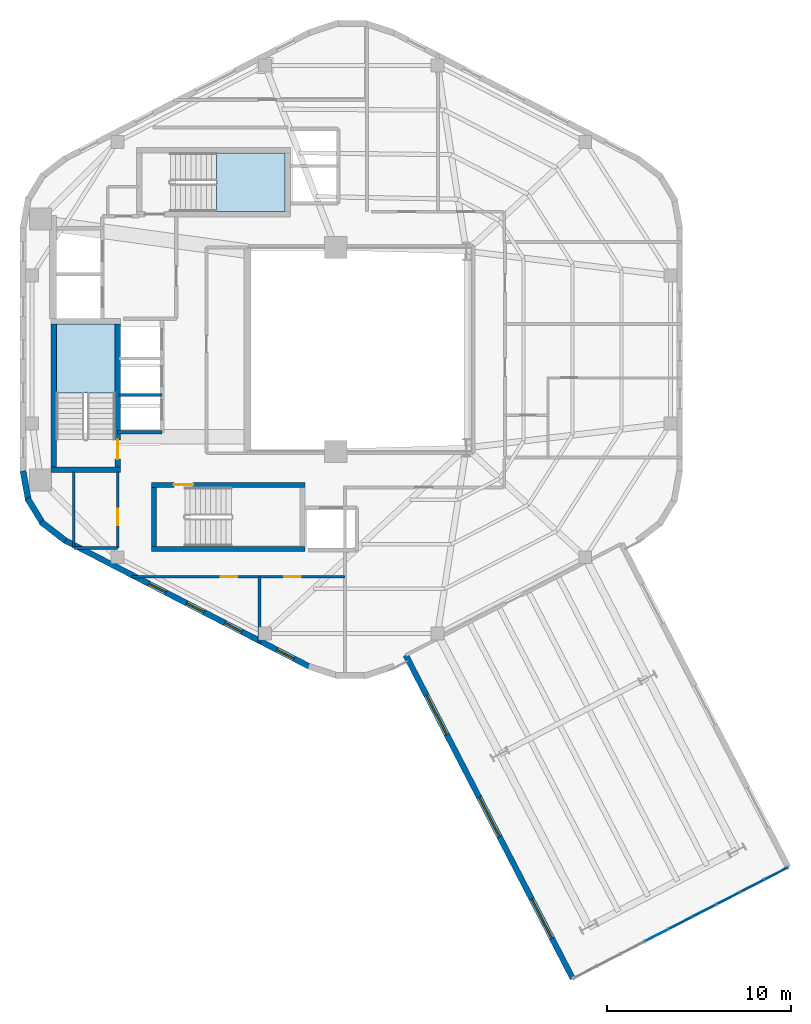
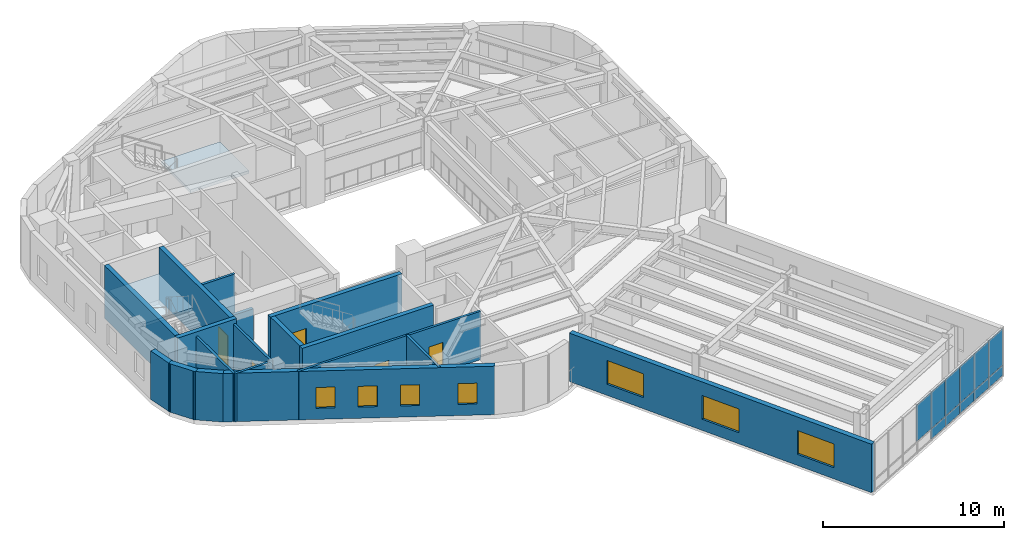
# One storey, part 6 of 10: 18 walls, 11 plates, 7 windows, 5 doors, 2 slabs, 12 openings, 3 elements without a shape of their own.
"""IFC4 building model written with IfcOpenShell, lengths in metres."""

from ifc_helpers import new_model, si_unit, direction, frame, frame_2d, origin, origin_2d, place, context, subcontext, project, spatial, polyline, rectangle, outline, extrude, material, layer, layer_set, type_object, element, fill, aggregate, save


model = new_model("IFC4")

# Units and contexts
model_context = context("Model", 3, precision=1e-05, world=origin(), true_north=direction((0.0, 1.0)))
body_context = subcontext(model_context, "Body", "Model", "MODEL_VIEW")
ifc_project = project(units=[si_unit("LENGTHUNIT", "METRE"), si_unit("AREAUNIT", "SQUARE_METRE"), si_unit("VOLUMEUNIT", "CUBIC_METRE"), si_unit("PLANEANGLEUNIT", "RADIAN"), si_unit("MASSUNIT", "GRAM", prefix="KILO"), si_unit("THERMODYNAMICTEMPERATUREUNIT", "KELVIN"), si_unit("POWERUNIT", "WATT")], contexts=[model_context])

# Site, building, storey
site_placement = place(None, origin())
site = spatial("IfcSite", under=ifc_project, at=site_placement, CompositionType="ELEMENT")
building_placement = place(site_placement, origin())
building = spatial("IfcBuilding", under=site, at=building_placement, Name="Skarre Station Tower", CompositionType="ELEMENT")
storey_placement = place(building_placement, frame((0.0, 0.0, 234.800048828125)))
storey = spatial("IfcBuildingStorey", under=building, at=storey_placement, Name="L64", CompositionType="ELEMENT", Elevation=234.800048828125)

# Curtain wall, plates
ifc_material_1 = material(Name="Thermally Broken Bronze-Anodized Aluminium & Triple Low-E Glass", Category="aluminium")
ifc_layer_1 = layer(ifc_material_1, 0.2099609375, Name="Thermally Broken Bronze-Anodized Aluminium & Triple Low-E Glass")
ifc_layer_set_1 = layer_set([ifc_layer_1], Name="Thermally Broken Bronze-Anodized Aluminium & Triple Low-E Glass")
curtain_wall_type = type_object("IfcCurtainWallType", Name="Sky-Bar Prow Structural Glazed Curtain Wall", PredefinedType="NOTDEFINED", material=ifc_layer_set_1)
curtain_wall_placement = place(storey_placement, origin())
curtain_wall = element("IfcCurtainWall", 1, at=curtain_wall_placement, inside=storey, type_object=curtain_wall_type, Name="L64 SB-5 Lakefront Prow Curtain Wall", PredefinedType="NOTDEFINED")
ifc_material_2 = material(Name="Insulated Bronze Anodized Aluminium Spandrel", Category="aluminium")
ifc_layer_2 = layer(ifc_material_2, 0.052001953125, Name="Insulated Bronze Anodized Aluminium Spandrel")
ifc_layer_set_2 = layer_set([ifc_layer_2], Name="Insulated Bronze Anodized Aluminium Spandrel")
plate_type_1 = type_object("IfcPlateType", Name="Bronze Insulated Spandrel Sheet Panel 52", PredefinedType="SHEET", material=ifc_layer_set_2)
plate_1_placement = place(storey_placement, frame((56.318115234375, -4.4970703125, 0.052001953125), z_axis=(0.0, 0.0, 1.0), x_axis=(-0.888577204547, -0.45872709922, 0.0)))
plate_1 = element("IfcPlate", 2, at=plate_1_placement, type_object=plate_type_1, Name="L64 SB-5 Lakefront Prow Curtain Wall Spandrel Panel 1-1", PredefinedType="SHEET", context=body_context, shape_type="SweptSolid", body=[
    extrude(rectangle(XDim=1.443115234375, YDim=0.052001953125, at=origin_2d()), origin(), (0.0, 0.0, 1.0), 0.68603515625),
])
plate_2_placement = place(storey_placement, frame((55.014892578125, -5.169921875, 0.052001953125), z_axis=(0.0, 0.0, 1.0), x_axis=(-0.888577204547, -0.45872709922, 0.0)))
plate_2 = element("IfcPlate", 3, at=plate_2_placement, type_object=plate_type_1, Name="L64 SB-5 Lakefront Prow Curtain Wall Spandrel Panel 2-1", PredefinedType="SHEET", context=body_context, shape_type="SweptSolid", body=[
    extrude(rectangle(XDim=1.443115234375, YDim=0.052001953125, at=origin_2d()), origin(), (0.0, 0.0, 1.0), 0.68603515625),
])
plate_3_placement = place(storey_placement, frame((53.7119140625, -5.843017578125, 0.052001953125), z_axis=(0.0, 0.0, 1.0), x_axis=(-0.888577204547, -0.45872709922, 0.0)))
plate_3 = element("IfcPlate", 4, at=plate_3_placement, type_object=plate_type_1, Name="L64 SB-5 Lakefront Prow Curtain Wall Spandrel Panel 3-1", PredefinedType="SHEET", context=body_context, shape_type="SweptSolid", body=[
    extrude(rectangle(XDim=1.443115234375, YDim=0.052001953125, at=origin_2d()), origin(), (0.0, 0.0, 1.0), 0.68603515625),
])
plate_4_placement = place(storey_placement, frame((52.408935546875, -6.51611328125, 0.052001953125), z_axis=(0.0, 0.0, 1.0), x_axis=(-0.888577204547, -0.45872709922, 0.0)))
plate_4 = element("IfcPlate", 5, at=plate_4_placement, type_object=plate_type_1, Name="L64 SB-5 Lakefront Prow Curtain Wall Spandrel Panel 4-1", PredefinedType="SHEET", context=body_context, shape_type="SweptSolid", body=[
    extrude(rectangle(XDim=1.443115234375, YDim=0.052001953125, at=origin_2d()), origin(), (0.0, 0.0, 1.0), 0.68603515625),
])
plate_5_placement = place(storey_placement, frame((51.10498046875, -7.18798828125, 0.052001953125), z_axis=(0.0, 0.0, 1.0), x_axis=(-0.888577204547, -0.45872709922, 0.0)))
plate_5 = element("IfcPlate", 6, at=plate_5_placement, type_object=plate_type_1, Name="L64 SB-5 Lakefront Prow Curtain Wall Spandrel Panel 5-1", PredefinedType="SHEET", context=body_context, shape_type="SweptSolid", body=[
    extrude(rectangle(XDim=1.443115234375, YDim=0.052001953125, at=origin_2d()), origin(), (0.0, 0.0, 1.0), 0.68603515625),
])

# Stair, slab
ifc_material_3 = material(Name="Concrete C40/50", Category="concrete")
stair_type_1 = type_object("IfcStairType", Name="Reinforced Concrete Exit Stair ST-1", PredefinedType="HALF_TURN_STAIR", material=ifc_material_3)
stair_1_placement = place(storey_placement, origin())
stair_1 = element("IfcStair", 7, at=stair_1_placement, inside=storey, type_object=stair_type_1, Name="L64 Core Exit Stair ST-1", PredefinedType="HALF_TURN_STAIR")
ifc_layer_3 = layer(ifc_material_3, 0.219970703125, Name="Concrete C40/50")
ifc_layer_set_3 = layer_set([ifc_layer_3], Name="Concrete C40/50")
slab_type = type_object("IfcSlabType", Name="Reinforced Concrete Stair & Ramp Landing 220", PredefinedType="LANDING", material=ifc_layer_set_3)
slab_1_placement = place(storey_placement, frame((0.0, 0.0, 1.574951171875)))
slab_1 = element("IfcSlab", 8, at=slab_1_placement, type_object=slab_type, Name="ST-1 landing 1", PredefinedType="LANDING", context=body_context, shape_type="SweptSolid", body=[
    extrude(outline(polyline([(20.35009765625, 21.639892578125), (20.35009765625, 25.39990234375), (17.14990234375, 25.39990234375), (17.14990234375, 21.639892578125), (20.35009765625, 21.639892578125)])), origin(), (0.0, 0.0, 1.0), 0.199951171875),
])
aggregate(stair_1, [slab_1])

stair_type_2 = type_object("IfcStairType", Name="Reinforced Concrete Exit Stair ST-3", PredefinedType="HALF_TURN_STAIR", material=ifc_material_3)
stair_2_placement = place(storey_placement, origin())
stair_2 = element("IfcStair", 9, at=stair_2_placement, inside=storey, type_object=stair_type_2, Name="L64 Core Exit Stair ST-3", PredefinedType="HALF_TURN_STAIR")
slab_2_placement = place(storey_placement, frame((0.0, 0.0, 1.574951171875)))
slab_2 = element("IfcSlab", 10, at=slab_2_placement, type_object=slab_type, Name="ST-3 landing 1", PredefinedType="LANDING", context=body_context, shape_type="SweptSolid", body=[
    extrude(outline(polyline([(25.8701171875, 31.5), (29.60009765625, 31.5), (29.60009765625, 34.699951171875), (25.8701171875, 34.699951171875), (25.8701171875, 31.5)])), origin(), (0.0, 0.0, 1.0), 0.199951171875),
])
aggregate(stair_2, [slab_2])

# Plate
ifc_material_4 = material(Name="Low-Iron Triple Insulating Glass Unit", Category="glass")
ifc_layer_4 = layer(ifc_material_4, 0.0439453125, Name="Low-Iron Triple Insulating Glass Unit")
ifc_layer_set_4 = layer_set([ifc_layer_4], Name="Low-Iron Triple Insulating Glass Unit")
plate_type_2 = type_object("IfcPlateType", Name="Triple-Glazed Vision Curtain Panel 44", PredefinedType="CURTAIN_PANEL", material=ifc_layer_set_4)
plate_6_placement = place(storey_placement, frame((56.318115234375, -4.4970703125, 0.76171875), z_axis=(0.0, 0.0, 1.0), x_axis=(-0.888577204547, -0.45872709922, 0.0)))
plate_6 = element("IfcPlate", 11, at=plate_6_placement, type_object=plate_type_2, Name="L64 SB-5 Lakefront Prow Curtain Wall Vision Panel 1-2", PredefinedType="CURTAIN_PANEL", context=body_context, shape_type="SweptSolid", body=[
    extrude(rectangle(XDim=1.443115234375, YDim=0.0439453125, at=origin_2d()), origin(), (0.0, 0.0, 1.0), 2.446044921875),
])

plate_7_placement = place(storey_placement, frame((55.014892578125, -5.169921875, 0.76171875), z_axis=(0.0, 0.0, 1.0), x_axis=(-0.888577204547, -0.45872709922, 0.0)))
plate_7 = element("IfcPlate", 12, at=plate_7_placement, type_object=plate_type_2, Name="L64 SB-5 Lakefront Prow Curtain Wall Vision Panel 2-2", PredefinedType="CURTAIN_PANEL", context=body_context, shape_type="SweptSolid", body=[
    extrude(rectangle(XDim=1.443115234375, YDim=0.0439453125, at=origin_2d()), origin(), (0.0, 0.0, 1.0), 2.446044921875),
])

plate_8_placement = place(storey_placement, frame((53.7119140625, -5.843017578125, 0.76171875), z_axis=(0.0, 0.0, 1.0), x_axis=(-0.888577204547, -0.45872709922, 0.0)))
plate_8 = element("IfcPlate", 13, at=plate_8_placement, type_object=plate_type_2, Name="L64 SB-5 Lakefront Prow Curtain Wall Vision Panel 3-2", PredefinedType="CURTAIN_PANEL", context=body_context, shape_type="SweptSolid", body=[
    extrude(rectangle(XDim=1.443115234375, YDim=0.0439453125, at=origin_2d()), origin(), (0.0, 0.0, 1.0), 2.446044921875),
])

plate_9_placement = place(storey_placement, frame((52.408935546875, -6.51611328125, 0.76171875), z_axis=(0.0, 0.0, 1.0), x_axis=(-0.888577204547, -0.45872709922, 0.0)))
plate_9 = element("IfcPlate", 14, at=plate_9_placement, type_object=plate_type_2, Name="L64 SB-5 Lakefront Prow Curtain Wall Vision Panel 4-2", PredefinedType="CURTAIN_PANEL", context=body_context, shape_type="SweptSolid", body=[
    extrude(rectangle(XDim=1.443115234375, YDim=0.0439453125, at=origin_2d()), origin(), (0.0, 0.0, 1.0), 2.446044921875),
])

plate_10_placement = place(storey_placement, frame((51.10498046875, -7.18798828125, 0.76171875), z_axis=(0.0, 0.0, 1.0), x_axis=(-0.888577204547, -0.45872709922, 0.0)))
plate_10 = element("IfcPlate", 15, at=plate_10_placement, type_object=plate_type_2, Name="L64 SB-5 Lakefront Prow Curtain Wall Vision Panel 5-2", PredefinedType="CURTAIN_PANEL", context=body_context, shape_type="SweptSolid", body=[
    extrude(rectangle(XDim=1.443115234375, YDim=0.0439453125, at=origin_2d()), origin(), (0.0, 0.0, 1.0), 2.446044921875),
])

plate_11_placement = place(storey_placement, frame((49.802001953125, -7.861083984375, 0.76171875), z_axis=(0.0, 0.0, 1.0), x_axis=(-0.888577204547, -0.45872709922, 0.0)))
plate_11 = element("IfcPlate", 16, at=plate_11_placement, type_object=plate_type_2, Name="L64 SB-5 Lakefront Prow Curtain Wall Vision Panel 6-2", PredefinedType="CURTAIN_PANEL", context=body_context, shape_type="SweptSolid", body=[
    extrude(rectangle(XDim=1.443115234375, YDim=0.0439453125, at=origin_2d()), origin(), (0.0, 0.0, 1.0), 2.446044921875),
])

aggregate(curtain_wall, [plate_1, plate_6, plate_2, plate_7, plate_3, plate_8, plate_4, plate_9, plate_5, plate_10, plate_11])

# Walls
ifc_material_5 = material(Name="Acoustic Steel-Stud Gypsum Partition", Category="steel")
ifc_layer_5 = layer(ifc_material_5, 0.14990234375, Name="Acoustic Steel-Stud Gypsum Partition")
ifc_layer_set_5 = layer_set([ifc_layer_5], Name="Acoustic Steel-Stud Gypsum Partition")
wall_type_1 = type_object("IfcWallType", Name="Fire-Rated Corridor Acoustic Partition 150", PredefinedType="PARTITIONING", material=ifc_layer_set_5)
wall_1_placement = place(storey_placement, frame((18.10009765625, 17.340087890625, 0.0), z_axis=(0.0, 0.0, 1.0), x_axis=(0.0, -1.0, 0.0)))
element("IfcWall", 17, at=wall_1_placement, inside=storey, type_object=wall_type_1, Name="L64 Interior Partition WL-PT-L64-CSVC-W", PredefinedType="PARTITIONING", context=body_context, shape_type="SweptSolid", body=[
    extrude(rectangle(XDim=4.133056640625, YDim=0.14990234375, at=frame_2d((2.06640625, 0.0))), origin(), (0.0, 0.0, 1.0), 3.260009765625),
])
wall_2_placement = place(storey_placement, frame((18.113037109375, 13.199951171875, 0.0), z_axis=(0.0, 0.0, 1.0), x_axis=(1.0, 0.0, 0.0)))
element("IfcWall", 18, at=wall_2_placement, inside=storey, type_object=wall_type_1, Name="L64 Interior Partition WL-PT-L64-CSVC-S", PredefinedType="PARTITIONING", context=body_context, shape_type="SweptSolid", body=[
    extrude(rectangle(XDim=2.376953125, YDim=0.14990234375, at=frame_2d((1.1884765625, 0.0))), origin(), (0.0, 0.0, 1.0), 3.260009765625),
])

# Wall, opening, door
wall_3_placement = place(storey_placement, frame((20.489990234375, 13.199951171875, 0.0), z_axis=(0.0, 0.0, 1.0), x_axis=(0.0, 1.0, 0.0)))
wall_3 = element("IfcWall", 19, at=wall_3_placement, inside=storey, type_object=wall_type_1, Name="L64 Interior Partition WL-PT-L64-CSVC-E", PredefinedType="PARTITIONING", context=body_context, shape_type="SweptSolid", body=[
    extrude(rectangle(XDim=4.14013671875, YDim=0.14990234375, at=frame_2d((2.070068359375, 0.0))), origin(), (0.0, 0.0, 1.0), 3.260009765625),
])
opening_1_placement = place(wall_3_placement, frame((1.25, 0.0, 0.0)))
opening_1 = element("IfcOpeningElement", 20, at=opening_1_placement, cuts=wall_3, Name="Opening DR-SVC90", PredefinedType="OPENING", context=body_context, shape_type="SweptSolid", body=[
    extrude(rectangle(XDim=0.89990234375, YDim=2.0, at=frame_2d((0.449951171875, 1.0))), frame((0.0, 0.0849609375, 0.0), z_axis=(0.0, -1.0, 0.0), x_axis=(1.0, 0.0, 0.0)), (0.0, 0.0, 1.0), 0.169921875),
])
ifc_material_6 = material(Name="Powder-Coated Hollow-Metal Acoustic Fire Leaf", Category="steel")
door_type_1 = type_object("IfcDoorType", Name="Service & Riser Fire Door FD60 900x2100", OperationType="SINGLE_SWING_LEFT", PredefinedType="DOOR", material=ifc_material_6)
door_1_placement = place(opening_1_placement, origin())
door_1 = element("IfcDoor", 21, at=door_1_placement, inside=storey, type_object=door_type_1, Name="L64 Core Pantry Door", OperationType="SINGLE_SWING_LEFT", OverallHeight=2.0, OverallWidth=0.89990234375, PredefinedType="DOOR", context=body_context, shape_type="SweptSolid", body=[
    extrude(rectangle(XDim=0.89990234375, YDim=2.0, at=frame_2d((0.449951171875, 1.0))), frame((0.0, 0.02490234375, 0.0), z_axis=(0.0, -1.0, 0.0), x_axis=(1.0, 0.0, 0.0)), (0.0, 0.0, 1.0), 0.050048828125),
])
fill(opening_1, door_1)

# Wall
wall_4_placement = place(storey_placement, frame((28.199951171875, 8.049072265625, 0.0), z_axis=(0.0, 0.0, 1.0), x_axis=(0.0, 1.0, 0.0)))
element("IfcWall", 22, at=wall_4_placement, inside=storey, type_object=wall_type_1, Name="L64 Interior Partition WL-PT-L64-SWP-M", PredefinedType="PARTITIONING", context=body_context, shape_type="SweptSolid", body=[
    extrude(rectangle(XDim=3.5908203125, YDim=0.14990234375, at=frame_2d((1.79541015625, 0.0))), origin(), (0.0, 0.0, 1.0), 3.260009765625),
])

# Wall, openings, doors
wall_5_placement = place(storey_placement, frame((21.243896484375, 11.639892578125, 0.0), z_axis=(0.0, 0.0, 1.0), x_axis=(1.0, 0.0, 0.0)))
wall_5 = element("IfcWall", 23, at=wall_5_placement, inside=storey, type_object=wall_type_1, Name="L64 Interior Partition WL-PT-L64-SWP-N", PredefinedType="PARTITIONING", context=body_context, shape_type="SweptSolid", body=[
    extrude(rectangle(XDim=11.606201171875, YDim=0.14990234375, at=frame_2d((5.80322265625, 0.0))), origin(), (0.0, 0.0, 1.0), 3.260009765625),
])
opening_2_placement = place(wall_5_placement, frame((4.85595703125, 0.0, 0.0)))
opening_2 = element("IfcOpeningElement", 24, at=opening_2_placement, cuts=wall_5, Name="Opening DR-SVC90", PredefinedType="OPENING", context=body_context, shape_type="SweptSolid", body=[
    extrude(rectangle(XDim=0.89990234375, YDim=2.0, at=frame_2d((0.449951171875, 1.0))), frame((0.0, 0.0849609375, 0.0), z_axis=(0.0, -1.0, 0.0), x_axis=(1.0, 0.0, 0.0)), (0.0, 0.0, 1.0), 0.169921875),
])
opening_3_placement = place(wall_5_placement, frame((8.305908203125, 0.0, 0.0)))
opening_3 = element("IfcOpeningElement", 25, at=opening_3_placement, cuts=wall_5, Name="Opening DR-SVC90", PredefinedType="OPENING", context=body_context, shape_type="SweptSolid", body=[
    extrude(rectangle(XDim=0.89990234375, YDim=2.0, at=frame_2d((0.449951171875, 1.0))), frame((0.0, 0.0849609375, 0.0), z_axis=(0.0, -1.0, 0.0), x_axis=(1.0, 0.0, 0.0)), (0.0, 0.0, 1.0), 0.169921875),
])
door_2_placement = place(opening_2_placement, origin())
door_2 = element("IfcDoor", 26, at=door_2_placement, inside=storey, type_object=door_type_1, Name="L64 Floor Public Toilets Door", OperationType="SINGLE_SWING_LEFT", OverallHeight=2.0, OverallWidth=0.89990234375, PredefinedType="DOOR", context=body_context, shape_type="SweptSolid", body=[
    extrude(rectangle(XDim=0.89990234375, YDim=2.0, at=frame_2d((0.449951171875, 1.0))), frame((0.0, 0.02490234375, 0.0), z_axis=(0.0, -1.0, 0.0), x_axis=(1.0, 0.0, 0.0)), (0.0, 0.0, 1.0), 0.050048828125),
])
fill(opening_2, door_2)
door_3_placement = place(opening_3_placement, origin())
door_3 = element("IfcDoor", 27, at=door_3_placement, inside=storey, type_object=door_type_1, Name="L64 South-West Study Door", OperationType="SINGLE_SWING_LEFT", OverallHeight=2.0, OverallWidth=0.89990234375, PredefinedType="DOOR", context=body_context, shape_type="SweptSolid", body=[
    extrude(rectangle(XDim=0.89990234375, YDim=2.0, at=frame_2d((0.449951171875, 1.0))), frame((0.0, 0.02490234375, 0.0), z_axis=(0.0, -1.0, 0.0), x_axis=(1.0, 0.0, 0.0)), (0.0, 0.0, 1.0), 0.050048828125),
])
fill(opening_3, door_3)

# Walls
ifc_material_7 = material(Name="Precast concrete C45/55", Category="concrete")
ifc_layer_6 = layer(ifc_material_7, 0.330078125, Name="Precast concrete C45/55")
ifc_layer_set_6 = layer_set([ifc_layer_6], Name="Precast concrete C45/55")
wall_type_2 = type_object("IfcWallType", Name="Nordic Rounded Corner Precast Wall 330", PredefinedType="STANDARD", material=ifc_layer_set_6)
wall_6_placement = place(storey_placement, frame((17.64697265625, 13.59912109375, 0.0), z_axis=(0.0, 0.0, 1.0), x_axis=(-0.790691856293, 0.61221433207, 0.0)))
element("IfcWall", 28, at=wall_6_placement, inside=storey, type_object=wall_type_2, Name="L64 Rounded Corner Precast Wall F3-1", PredefinedType="STANDARD", context=body_context, shape_type="SweptSolid", body=[
    extrude(rectangle(XDim=1.67578125, YDim=0.330078125, at=frame_2d((0.837890625, 0.0))), origin(), (0.0, 0.0, 1.0), 3.260009765625),
])
wall_7_placement = place(storey_placement, frame((16.447021484375, 14.485107421875, 0.0), z_axis=(0.0, 0.0, 1.0), x_axis=(-0.520325409202, 0.853968072318, 0.0)))
element("IfcWall", 29, at=wall_7_placement, inside=storey, type_object=wall_type_2, Name="L64 Rounded Corner Precast Wall F3-2", PredefinedType="STANDARD", context=body_context, shape_type="SweptSolid", body=[
    extrude(rectangle(XDim=1.677978515625, YDim=0.330078125, at=frame_2d((0.8388671875, 0.0))), origin(), (0.0, 0.0, 1.0), 3.260009765625),
])
wall_8_placement = place(storey_placement, frame((15.64111328125, 15.742919921875, 0.0), z_axis=(0.0, 0.0, 1.0), x_axis=(-0.180832605401, 0.983513888475, 0.0)))
element("IfcWall", 30, at=wall_8_placement, inside=storey, type_object=wall_type_2, Name="L64 Rounded Corner Precast Wall F3-3", PredefinedType="STANDARD", context=body_context, shape_type="SweptSolid", body=[
    extrude(rectangle(XDim=1.6767578125, YDim=0.330078125, at=frame_2d((0.83837890625, 0.0))), origin(), (0.0, 0.0, 1.0), 3.260009765625),
])

# Wall, openings, windows
ifc_layer_7 = layer(ifc_material_7, 0.31005859375, Name="Precast concrete C45/55")
ifc_layer_set_7 = layer_set([ifc_layer_7], Name="Precast concrete C45/55")
wall_type_3 = type_object("IfcWallType", Name="Nordic Upper-Zone Precast Facet Wall 310", PredefinedType="STANDARD", material=ifc_layer_set_7)
wall_9_placement = place(storey_placement, frame((30.962890625, 6.72998046875, 0.0), z_axis=(0.0, 0.0, 1.0), x_axis=(-0.888581481622, 0.458718814218, 0.0)))
wall_9 = element("IfcWall", 31, at=wall_9_placement, inside=storey, type_object=wall_type_3, Name="L64 Facet 3 Nordic Precast Masonry Wall", PredefinedType="STANDARD", context=body_context, shape_type="SweptSolid", body=[
    extrude(rectangle(XDim=15.076904296875, YDim=0.31005859375, at=frame_2d((7.53857421875, 0.0))), origin(), (0.0, 0.0, 1.0), 3.260009765625),
])
opening_4_placement = place(wall_9_placement, frame((0.998046875, 0.0, 0.75)))
opening_4 = element("IfcOpeningElement", 32, at=opening_4_placement, cuts=wall_9, Name="Opening WN-SLT", PredefinedType="OPENING", context=body_context, shape_type="SweptSolid", body=[
    extrude(rectangle(XDim=1.050048828125, YDim=1.39990234375, at=frame_2d((0.52490234375, 0.699951171875))), frame((0.0, 0.1650390625, 0.0), z_axis=(0.0, -1.0, 0.0), x_axis=(1.0, 0.0, 0.0)), (0.0, 0.0, 1.0), 0.330078125),
])
opening_5_placement = place(wall_9_placement, frame((4.176025390625, 0.0, 0.75)))
opening_5 = element("IfcOpeningElement", 33, at=opening_5_placement, cuts=wall_9, Name="Opening WN-SLT", PredefinedType="OPENING", context=body_context, shape_type="SweptSolid", body=[
    extrude(rectangle(XDim=1.050048828125, YDim=1.39990234375, at=frame_2d((0.52490234375, 0.699951171875))), frame((0.0, 0.1650390625, 0.0), z_axis=(0.0, -1.0, 0.0), x_axis=(1.0, 0.0, 0.0)), (0.0, 0.0, 1.0), 0.330078125),
])
opening_6_placement = place(wall_9_placement, frame((6.509033203125, 0.0, 0.75)))
opening_6 = element("IfcOpeningElement", 34, at=opening_6_placement, cuts=wall_9, Name="Opening WN-SLT", PredefinedType="OPENING", context=body_context, shape_type="SweptSolid", body=[
    extrude(rectangle(XDim=1.050048828125, YDim=1.39990234375, at=frame_2d((0.52490234375, 0.699951171875))), frame((0.0, 0.1650390625, 0.0), z_axis=(0.0, -1.0, 0.0), x_axis=(1.0, 0.0, 0.0)), (0.0, 0.0, 1.0), 0.330078125),
])
opening_7_placement = place(wall_9_placement, frame((8.842041015625, 0.0, 0.75)))
opening_7 = element("IfcOpeningElement", 35, at=opening_7_placement, cuts=wall_9, Name="Opening WN-SLT", PredefinedType="OPENING", context=body_context, shape_type="SweptSolid", body=[
    extrude(rectangle(XDim=1.050048828125, YDim=1.39990234375, at=frame_2d((0.52490234375, 0.699951171875))), frame((0.0, 0.1650390625, 0.0), z_axis=(0.0, -1.0, 0.0), x_axis=(1.0, 0.0, 0.0)), (0.0, 0.0, 1.0), 0.330078125),
])
ifc_material_8 = material(Name="Low-Iron Triple Glazing with Bronze Anodized Frame", Category="glass")
window_type_1 = type_object("IfcWindowType", Name="Nordic Corner Slot Window 1050x1400", PartitioningType="SINGLE_PANEL", PredefinedType="WINDOW", material=ifc_material_8)
window_1_placement = place(opening_4_placement, origin())
window_1 = element("IfcWindow", 36, at=window_1_placement, inside=storey, type_object=window_type_1, Name="L64 Facade Window WL-FAC-L64-F3-1", OverallHeight=1.39990234375, OverallWidth=1.050048828125, PartitioningType="SINGLE_PANEL", PredefinedType="WINDOW", context=body_context, shape_type="SweptSolid", body=[
    extrude(rectangle(XDim=1.050048828125, YDim=1.39990234375, at=frame_2d((0.52490234375, 0.699951171875))), frame((0.0, 0.030029296875, 0.0), z_axis=(0.0, -1.0, 0.0), x_axis=(1.0, 0.0, 0.0)), (0.0, 0.0, 1.0), 0.06005859375),
])
fill(opening_4, window_1)
window_2_placement = place(opening_5_placement, origin())
window_2 = element("IfcWindow", 37, at=window_2_placement, inside=storey, type_object=window_type_1, Name="L64 Facade Window WL-FAC-L64-F3-2", OverallHeight=1.39990234375, OverallWidth=1.050048828125, PartitioningType="SINGLE_PANEL", PredefinedType="WINDOW", context=body_context, shape_type="SweptSolid", body=[
    extrude(rectangle(XDim=1.050048828125, YDim=1.39990234375, at=frame_2d((0.52490234375, 0.699951171875))), frame((0.0, 0.030029296875, 0.0), z_axis=(0.0, -1.0, 0.0), x_axis=(1.0, 0.0, 0.0)), (0.0, 0.0, 1.0), 0.06005859375),
])
fill(opening_5, window_2)
window_3_placement = place(opening_6_placement, origin())
window_3 = element("IfcWindow", 38, at=window_3_placement, inside=storey, type_object=window_type_1, Name="L64 Facade Window WL-FAC-L64-F3-3", OverallHeight=1.39990234375, OverallWidth=1.050048828125, PartitioningType="SINGLE_PANEL", PredefinedType="WINDOW", context=body_context, shape_type="SweptSolid", body=[
    extrude(rectangle(XDim=1.050048828125, YDim=1.39990234375, at=frame_2d((0.52490234375, 0.699951171875))), frame((0.0, 0.030029296875, 0.0), z_axis=(0.0, -1.0, 0.0), x_axis=(1.0, 0.0, 0.0)), (0.0, 0.0, 1.0), 0.06005859375),
])
fill(opening_6, window_3)
window_4_placement = place(opening_7_placement, origin())
window_4 = element("IfcWindow", 39, at=window_4_placement, inside=storey, type_object=window_type_1, Name="L64 Facade Window WL-FAC-L64-F3-4", OverallHeight=1.39990234375, OverallWidth=1.050048828125, PartitioningType="SINGLE_PANEL", PredefinedType="WINDOW", context=body_context, shape_type="SweptSolid", body=[
    extrude(rectangle(XDim=1.050048828125, YDim=1.39990234375, at=frame_2d((0.52490234375, 0.699951171875))), frame((0.0, 0.030029296875, 0.0), z_axis=(0.0, -1.0, 0.0), x_axis=(1.0, 0.0, 0.0)), (0.0, 0.0, 1.0), 0.06005859375),
])
fill(opening_7, window_4)

wall_10_placement = place(storey_placement, frame((45.240966796875, -10.216064453125, 0.0), z_axis=(0.0, 0.0, 1.0), x_axis=(-0.45873211625, 0.888574614493, 0.0)))
wall_10 = element("IfcWall", 40, at=wall_10_placement, inside=storey, type_object=wall_type_3, Name="L64 SB-5 Side 1 Precast Wall", PredefinedType="STANDARD", context=body_context, shape_type="SweptSolid", body=[
    extrude(rectangle(XDim=19.80029296875, YDim=0.31005859375, at=frame_2d((9.900146484375, 0.0))), origin(), (0.0, 0.0, 1.0), 3.260009765625),
])
opening_8_placement = place(wall_10_placement, frame((2.467041015625, 0.0, 0.75)))
opening_8 = element("IfcOpeningElement", 41, at=opening_8_placement, cuts=wall_10, Name="Opening WN-Z4A", PredefinedType="OPENING", context=body_context, shape_type="SweptSolid", body=[
    extrude(rectangle(XDim=2.39990234375, YDim=1.60009765625, at=frame_2d((1.199951171875, 0.800048828125))), frame((0.0, 0.1650390625, 0.0), z_axis=(0.0, -1.0, 0.0), x_axis=(1.0, 0.0, 0.0)), (0.0, 0.0, 1.0), 0.330078125),
])
opening_9_placement = place(wall_10_placement, frame((8.699951171875, 0.0, 0.75)))
opening_9 = element("IfcOpeningElement", 42, at=opening_9_placement, cuts=wall_10, Name="Opening WN-Z4A", PredefinedType="OPENING", context=body_context, shape_type="SweptSolid", body=[
    extrude(rectangle(XDim=2.39990234375, YDim=1.60009765625, at=frame_2d((1.199951171875, 0.800048828125))), frame((0.0, 0.1650390625, 0.0), z_axis=(0.0, -1.0, 0.0), x_axis=(1.0, 0.0, 0.0)), (0.0, 0.0, 1.0), 0.330078125),
])
opening_10_placement = place(wall_10_placement, frame((14.93408203125, 0.0, 0.75)))
opening_10 = element("IfcOpeningElement", 43, at=opening_10_placement, cuts=wall_10, Name="Opening WN-Z4A", PredefinedType="OPENING", context=body_context, shape_type="SweptSolid", body=[
    extrude(rectangle(XDim=2.39990234375, YDim=1.60009765625, at=frame_2d((1.199951171875, 0.800048828125))), frame((0.0, 0.1650390625, 0.0), z_axis=(0.0, -1.0, 0.0), x_axis=(1.0, 0.0, 0.0)), (0.0, 0.0, 1.0), 0.330078125),
])
window_type_2 = type_object("IfcWindowType", Name="Nordic Crown Panorama Window 2400x1600", PartitioningType="SINGLE_PANEL", PredefinedType="WINDOW", material=ifc_material_8)
window_5_placement = place(opening_8_placement, origin())
window_5 = element("IfcWindow", 44, at=window_5_placement, inside=storey, type_object=window_type_2, Name="L64 Facade Window WL-SB-5-L64-S1-1", OverallHeight=1.60009765625, OverallWidth=2.39990234375, PartitioningType="SINGLE_PANEL", PredefinedType="WINDOW", context=body_context, shape_type="SweptSolid", body=[
    extrude(rectangle(XDim=2.39990234375, YDim=1.60009765625, at=frame_2d((1.199951171875, 0.800048828125))), frame((0.0, 0.030029296875, 0.0), z_axis=(0.0, -1.0, 0.0), x_axis=(1.0, 0.0, 0.0)), (0.0, 0.0, 1.0), 0.06005859375),
])
fill(opening_8, window_5)
window_6_placement = place(opening_9_placement, origin())
window_6 = element("IfcWindow", 45, at=window_6_placement, inside=storey, type_object=window_type_2, Name="L64 Facade Window WL-SB-5-L64-S1-2", OverallHeight=1.60009765625, OverallWidth=2.39990234375, PartitioningType="SINGLE_PANEL", PredefinedType="WINDOW", context=body_context, shape_type="SweptSolid", body=[
    extrude(rectangle(XDim=2.39990234375, YDim=1.60009765625, at=frame_2d((1.199951171875, 0.800048828125))), frame((0.0, 0.030029296875, 0.0), z_axis=(0.0, -1.0, 0.0), x_axis=(1.0, 0.0, 0.0)), (0.0, 0.0, 1.0), 0.06005859375),
])
fill(opening_9, window_6)
window_7_placement = place(opening_10_placement, origin())
window_7 = element("IfcWindow", 46, at=window_7_placement, inside=storey, type_object=window_type_2, Name="L64 Facade Window WL-SB-5-L64-S1-3", OverallHeight=1.60009765625, OverallWidth=2.39990234375, PartitioningType="SINGLE_PANEL", PredefinedType="WINDOW", context=body_context, shape_type="SweptSolid", body=[
    extrude(rectangle(XDim=2.39990234375, YDim=1.60009765625, at=frame_2d((1.199951171875, 0.800048828125))), frame((0.0, 0.030029296875, 0.0), z_axis=(0.0, -1.0, 0.0), x_axis=(1.0, 0.0, 0.0)), (0.0, 0.0, 1.0), 0.06005859375),
])
fill(opening_10, window_7)

# Walls
ifc_material_9 = material(Name="Concrete C50/60", Category="concrete")
ifc_layer_8 = layer(ifc_material_9, 0.280029296875, Name="Concrete C50/60")
ifc_layer_set_8 = layer_set([ifc_layer_8], Name="Concrete C50/60")
wall_type_4 = type_object("IfcWallType", Name="RC Core Shear Wall 280", PredefinedType="SHEAR", material=ifc_layer_set_8)
wall_11_placement = place(storey_placement, frame((16.8701171875, 17.4599609375, 0.0), z_axis=(0.0, 0.0, 1.0), x_axis=(1.0, 0.0, 0.0)))
element("IfcWall", 47, at=wall_11_placement, inside=storey, type_object=wall_type_4, Name="L64 Stair ST-1 South Shear Wall", PredefinedType="SHEAR", context=body_context, shape_type="SweptSolid", body=[
    extrude(rectangle(XDim=3.759765625, YDim=0.280029296875, at=frame_2d((1.8798828125, 0.0))), origin(), (0.0, 0.0, 1.0), 3.550048828125),
])
wall_12_placement = place(storey_placement, frame((17.010009765625, 25.39990234375, 0.0), z_axis=(0.0, 0.0, 1.0), x_axis=(0.0, -1.0, 0.0)))
element("IfcWall", 48, at=wall_12_placement, inside=storey, type_object=wall_type_4, Name="L64 Stair ST-1 West Shear Wall", PredefinedType="SHEAR", context=body_context, shape_type="SweptSolid", body=[
    extrude(rectangle(XDim=7.7998046875, YDim=0.280029296875, at=frame_2d((3.89990234375, 0.0))), origin(), (0.0, 0.0, 1.0), 3.550048828125),
])

# Wall, opening, door
wall_13_placement = place(storey_placement, frame((20.489990234375, 17.60009765625, 0.0), z_axis=(0.0, 0.0, 1.0), x_axis=(0.0, 1.0, 0.0)))
wall_13 = element("IfcWall", 49, at=wall_13_placement, inside=storey, type_object=wall_type_4, Name="L64 Stair ST-1 East Shear Wall", PredefinedType="SHEAR", context=body_context, shape_type="SweptSolid", body=[
    extrude(rectangle(XDim=7.7998046875, YDim=0.280029296875, at=frame_2d((3.89990234375, 0.0))), origin(), (0.0, 0.0, 1.0), 3.550048828125),
])
opening_11_placement = place(wall_13_placement, frame((0.43994140625, 0.0, 0.0)))
opening_11 = element("IfcOpeningElement", 50, at=opening_11_placement, cuts=wall_13, Name="Opening DR-FD90", PredefinedType="OPENING", context=body_context, shape_type="SweptSolid", body=[
    extrude(rectangle(XDim=1.050048828125, YDim=2.0, at=frame_2d((0.52490234375, 1.0))), frame((0.0, 0.14990234375, 0.0), z_axis=(0.0, -1.0, 0.0), x_axis=(1.0, 0.0, 0.0)), (0.0, 0.0, 1.0), 0.300048828125),
])
ifc_material_10 = material(Name="Fire-Rated Insulated Steel Frame & Timber Core Leaf", Category="steel")
door_type_2 = type_object("IfcDoorType", Name="Stair & FSAE Lobby Fire Door FD90 1050x2150", OperationType="SINGLE_SWING_RIGHT", PredefinedType="DOOR", material=ifc_material_10)
door_4_placement = place(opening_11_placement, origin())
door_4 = element("IfcDoor", 51, at=door_4_placement, inside=storey, type_object=door_type_2, Name="L64 Stair ST-1 Exit Door", OperationType="SINGLE_SWING_RIGHT", OverallHeight=2.0, OverallWidth=1.050048828125, PredefinedType="DOOR", context=body_context, shape_type="SweptSolid", body=[
    extrude(rectangle(XDim=1.050048828125, YDim=2.0, at=frame_2d((0.52490234375, 1.0))), frame((0.0, 0.02490234375, 0.0), z_axis=(0.0, -1.0, 0.0), x_axis=(1.0, 0.0, 0.0)), (0.0, 0.0, 1.0), 0.050048828125),
])
fill(opening_11, door_4)

# Wall
wall_14_placement = place(storey_placement, frame((22.320068359375, 13.159912109375, 0.0), z_axis=(0.0, 0.0, 1.0), x_axis=(1.0, 0.0, 0.0)))
element("IfcWall", 52, at=wall_14_placement, inside=storey, type_object=wall_type_4, Name="L64 Stair ST-2 South Shear Wall", PredefinedType="SHEAR", context=body_context, shape_type="SweptSolid", body=[
    extrude(rectangle(XDim=8.35986328125, YDim=0.280029296875, at=frame_2d((4.179931640625, 0.0))), origin(), (0.0, 0.0, 1.0), 3.550048828125),
])

# Wall, opening, door
wall_15_placement = place(storey_placement, frame((30.679931640625, 16.639892578125, 0.0), z_axis=(0.0, 0.0, 1.0), x_axis=(-1.0, 0.0, 0.0)))
wall_15 = element("IfcWall", 53, at=wall_15_placement, inside=storey, type_object=wall_type_4, Name="L64 Stair ST-2 North Shear Wall", PredefinedType="SHEAR", context=body_context, shape_type="SweptSolid", body=[
    extrude(rectangle(XDim=8.35986328125, YDim=0.280029296875, at=frame_2d((4.179931640625, 0.0))), origin(), (0.0, 0.0, 1.0), 3.550048828125),
])
opening_12_placement = place(wall_15_placement, frame((6.080078125, 0.0, 0.0)))
opening_12 = element("IfcOpeningElement", 54, at=opening_12_placement, cuts=wall_15, Name="Opening DR-FD90", PredefinedType="OPENING", context=body_context, shape_type="SweptSolid", body=[
    extrude(rectangle(XDim=1.050048828125, YDim=2.0, at=frame_2d((0.52490234375, 1.0))), frame((0.0, 0.14990234375, 0.0), z_axis=(0.0, -1.0, 0.0), x_axis=(1.0, 0.0, 0.0)), (0.0, 0.0, 1.0), 0.300048828125),
])
door_5_placement = place(opening_12_placement, origin())
door_5 = element("IfcDoor", 55, at=door_5_placement, inside=storey, type_object=door_type_2, Name="L64 Stair ST-2 Exit Door", OperationType="SINGLE_SWING_RIGHT", OverallHeight=2.0, OverallWidth=1.050048828125, PredefinedType="DOOR", context=body_context, shape_type="SweptSolid", body=[
    extrude(rectangle(XDim=1.050048828125, YDim=2.0, at=frame_2d((0.52490234375, 1.0))), frame((0.0, 0.02490234375, 0.0), z_axis=(0.0, -1.0, 0.0), x_axis=(1.0, 0.0, 0.0)), (0.0, 0.0, 1.0), 0.050048828125),
])
fill(opening_12, door_5)

# Walls
wall_16_placement = place(storey_placement, frame((22.4599609375, 16.5, 0.0), z_axis=(0.0, 0.0, 1.0), x_axis=(0.0, -1.0, 0.0)))
element("IfcWall", 56, at=wall_16_placement, inside=storey, type_object=wall_type_4, Name="L64 Stair ST-2 West Shear Wall", PredefinedType="SHEAR", context=body_context, shape_type="SweptSolid", body=[
    extrude(rectangle(XDim=3.199951171875, YDim=0.280029296875, at=frame_2d((1.60009765625, 0.0))), origin(), (0.0, 0.0, 1.0), 3.550048828125),
])
ifc_material_11 = material(Name="Gypsum Concrete Shaft Assembly C30/37", Category="concrete")
ifc_layer_9 = layer(ifc_material_11, 0.199951171875, Name="Gypsum Concrete Shaft Assembly C30/37")
ifc_layer_set_9 = layer_set([ifc_layer_9], Name="Gypsum Concrete Shaft Assembly C30/37")
wall_type_5 = type_object("IfcWallType", Name="Shaft & Core Fire Partition 200", PredefinedType="PARTITIONING", material=ifc_layer_set_9)
wall_17_placement = place(storey_placement, frame((20.489990234375, 19.5, 0.0), z_axis=(0.0, 0.0, 1.0), x_axis=(1.0, 0.0, 0.0)))
element("IfcWall", 57, at=wall_17_placement, inside=storey, type_object=wall_type_5, Name="L64 Interior Partition WL-PT-L64-B3-S", PredefinedType="PARTITIONING", context=body_context, shape_type="SweptSolid", body=[
    extrude(rectangle(XDim=2.409912109375, YDim=0.199951171875, at=frame_2d((1.205078125, 0.0))), origin(), (0.0, 0.0, 1.0), 2.159912109375),
])
wall_18_placement = place(storey_placement, frame((20.550048828125, 21.52001953125, 0.0), z_axis=(0.0, 0.0, 1.0), x_axis=(1.0, 0.0, 0.0)))
element("IfcWall", 58, at=wall_18_placement, inside=storey, type_object=wall_type_5, Name="L64 Interior Partition WL-PT-L64-B3-D1", PredefinedType="PARTITIONING", context=body_context, shape_type="SweptSolid", body=[
    extrude(rectangle(XDim=2.349853515625, YDim=0.159912109375, at=frame_2d((1.1748046875, 0.0))), origin(), (0.0, 0.0, 1.0), 3.260009765625),
])

save(model, "model.ifc")
